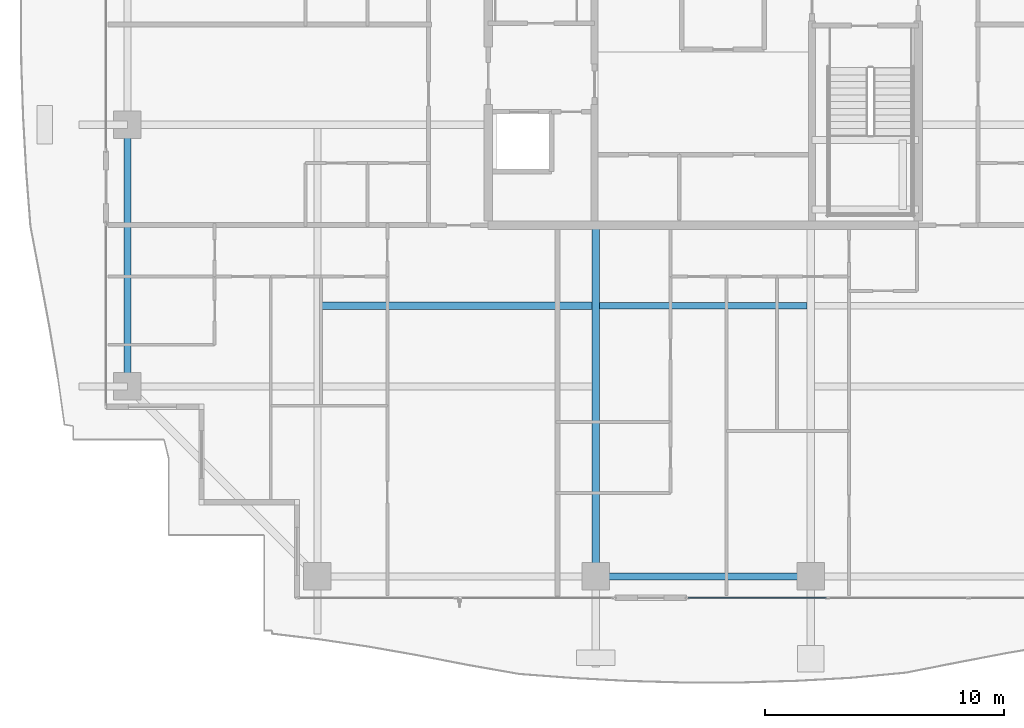
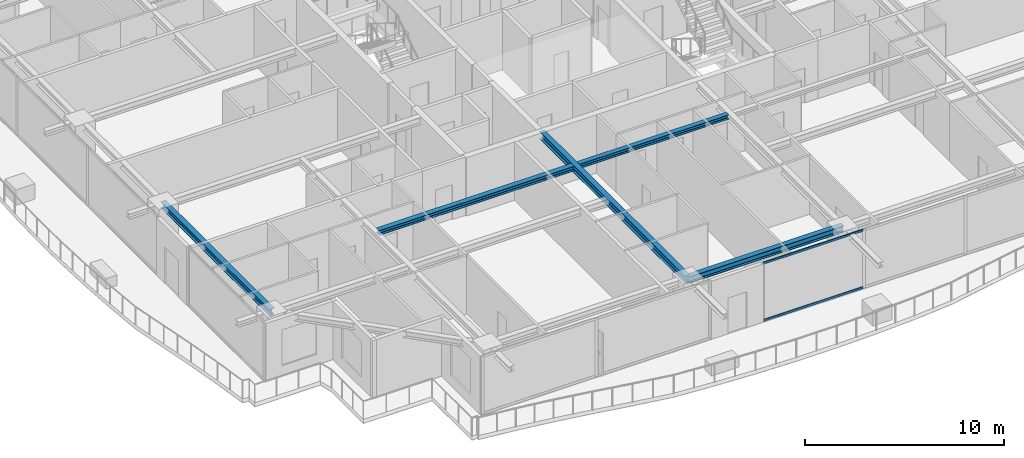
# One storey, part 6 of 38: 5 beams, 2 members, 1 element without a shape of its own.
"""IFC4 building model written with IfcOpenShell, lengths in metres."""

from ifc_helpers import new_model, si_unit, direction, frame, origin, origin_2d, place, context, subcontext, project, spatial, hollow_rectangle, i_section, extrude, source, transform, mapped, material, layer, layer_set, material_profile, profile_set, type_object, element, aggregate, save


model = new_model("IFC4")

# Units and contexts
model_context = context("Model", 3, precision=1e-05, world=origin(), true_north=direction((0.0, 1.0)))
body_context = subcontext(model_context, "Body", "Model", "MODEL_VIEW")
ifc_project = project(units=[si_unit("LENGTHUNIT", "METRE"), si_unit("AREAUNIT", "SQUARE_METRE"), si_unit("VOLUMEUNIT", "CUBIC_METRE"), si_unit("PLANEANGLEUNIT", "RADIAN"), si_unit("MASSUNIT", "GRAM", prefix="KILO")], contexts=[model_context])

# Site, building, storey
site_placement = place(None, origin())
site = spatial("IfcSite", under=ifc_project, at=site_placement, CompositionType="ELEMENT")
building_placement = place(site_placement, origin())
building = spatial("IfcBuilding", under=site, at=building_placement, Name="Serunith Strait Residences", CompositionType="ELEMENT")
storey_placement = place(building_placement, frame((0.0, 0.0, 241.25)))
storey = spatial("IfcBuildingStorey", under=building, at=storey_placement, Name="L60", CompositionType="ELEMENT", Elevation=241.25)

# Beams
ifc_material_1 = material(Name="Steel S355J2", Category="steel")
ifc_material_profile_1 = material_profile(ifc_material_1, i_section(OverallWidth=0.280029296875, OverallDepth=0.280029296875, WebThickness=0.010498046875, FlangeThickness=0.01806640625, FilletRadius=0.02392578125, at=origin_2d()), Name="HEB 280")
ifc_profile_set_1 = profile_set([ifc_material_profile_1], Name="Steel S355J2")
beam_type_1 = type_object("IfcBeamType", Name="BM-HEB280", PredefinedType="JOIST", material=ifc_profile_set_1)
shared_shape_1 = source(origin(), body_context, "Body", "SweptSolid", [
    extrude(i_section(OverallWidth=0.280029296875, OverallDepth=0.280029296875, WebThickness=0.010498046875, FlangeThickness=0.01806640625, FilletRadius=0.02392578125, at=origin_2d()), origin(), (0.0, 0.0, 1.0), 8.699951171875),
])
beam_1_placement = place(storey_placement, frame((28.050048828125, 13.425048828125, 3.447021484375), z_axis=(1.0, 0.0, 0.0), x_axis=(0.0, 1.0, 0.0)))
element("IfcBeam", 1, at=beam_1_placement, inside=storey, type_object=beam_type_1, Name="L60 Composite Floor Joist 02", PredefinedType="JOIST", context=body_context, shape_type="MappedRepresentation", body=[
    mapped(shared_shape_1, transform((0.0, 0.0, 0.0), scale=1.0)),
])
ifc_material_profile_2 = material_profile(ifc_material_1, i_section(OverallWidth=0.300048828125, OverallDepth=0.449951171875, WebThickness=0.013916015625, FlangeThickness=0.02587890625, FilletRadius=0.027099609375, at=origin_2d()), Name="HEB 450")
ifc_profile_set_2 = profile_set([ifc_material_profile_2], Name="Steel S355J2")
beam_type_2 = type_object("IfcBeamType", Name="BM-HEB450", PredefinedType="BEAM", material=ifc_profile_set_2)
shared_shape_2 = source(origin(), body_context, "Body", "SweptSolid", [
    extrude(i_section(OverallWidth=0.300048828125, OverallDepth=0.449951171875, WebThickness=0.013916015625, FlangeThickness=0.02587890625, FilletRadius=0.027099609375, at=origin_2d()), origin(), (0.0, 0.0, 1.0), 14.699951171875),
])
beam_2_placement = place(storey_placement, frame((27.89990234375, 16.800048828125, 3.362060546875), z_axis=(0.0, -1.0, 0.0), x_axis=(1.0, 0.0, 0.0)))
element("IfcBeam", 2, at=beam_2_placement, inside=storey, type_object=beam_type_2, Name="L60 Primary Floor Girder TC-S2", PredefinedType="BEAM", context=body_context, shape_type="MappedRepresentation", body=[
    mapped(shared_shape_2, transform((0.0, 0.0, 0.0), scale=1.0)),
])
ifc_material_profile_3 = material_profile(ifc_material_1, i_section(OverallWidth=0.300048828125, OverallDepth=0.39990234375, WebThickness=0.013427734375, FlangeThickness=0.02392578125, FilletRadius=0.027099609375, at=origin_2d()), Name="HEB 400")
ifc_profile_set_3 = profile_set([ifc_material_profile_3], Name="Steel S355J2")
beam_type_3 = type_object("IfcBeamType", Name="BM-HEB400", PredefinedType="BEAM", material=ifc_profile_set_3)
shared_shape_3 = source(origin(), body_context, "Body", "SweptSolid", [
    extrude(i_section(OverallWidth=0.300048828125, OverallDepth=0.39990234375, WebThickness=0.013427734375, FlangeThickness=0.02392578125, FilletRadius=0.027099609375, at=origin_2d()), origin(), (0.0, 0.0, 1.0), 9.0),
])
beam_3_placement = place(storey_placement, frame((27.89990234375, 2.10009765625, 3.386962890625), z_axis=(1.0, 0.0, 0.0), x_axis=(0.0, 1.0, 0.0)))
element("IfcBeam", 3, at=beam_3_placement, inside=storey, type_object=beam_type_3, Name="L60 Perimeter Ring Beam 02", PredefinedType="BEAM", context=body_context, shape_type="MappedRepresentation", body=[
    mapped(shared_shape_3, transform((0.0, 0.0, 0.0), scale=1.0)),
])
shared_shape_4 = source(origin(), body_context, "Body", "SweptSolid", [
    extrude(i_section(OverallWidth=0.300048828125, OverallDepth=0.39990234375, WebThickness=0.013427734375, FlangeThickness=0.02392578125, FilletRadius=0.027099609375, at=origin_2d()), origin(), (0.0, 0.0, 1.0), 10.949951171875),
])
beam_4_placement = place(storey_placement, frame((8.300048828125, 21.0, 3.386962890625), z_axis=(0.0, -1.0, 0.0), x_axis=(1.0, 0.0, 0.0)))
element("IfcBeam", 4, at=beam_4_placement, inside=storey, type_object=beam_type_3, Name="L60 Perimeter Ring Beam 15", PredefinedType="BEAM", context=body_context, shape_type="MappedRepresentation", body=[
    mapped(shared_shape_4, transform((0.0, 0.0, 0.0), scale=1.0)),
])
ifc_material_profile_4 = material_profile(ifc_material_1, i_section(OverallWidth=0.300048828125, OverallDepth=0.300048828125, WebThickness=0.010986328125, FlangeThickness=0.01904296875, FilletRadius=0.027099609375, at=origin_2d()), Name="HEB 300")
ifc_profile_set_4 = profile_set([ifc_material_profile_4], Name="Steel S355J2")
beam_type_4 = type_object("IfcBeamType", Name="BM-HEB300", PredefinedType="JOIST", material=ifc_profile_set_4)
shared_shape_5 = source(origin(), body_context, "Body", "SweptSolid", [
    extrude(i_section(OverallWidth=0.300048828125, OverallDepth=0.300048828125, WebThickness=0.010986328125, FlangeThickness=0.01904296875, FilletRadius=0.027099609375, at=origin_2d()), origin(), (0.0, 0.0, 1.0), 11.35009765625),
])
beam_5_placement = place(storey_placement, frame((16.39990234375, 13.425048828125, 3.43701171875), z_axis=(1.0, 0.0, 0.0), x_axis=(0.0, 1.0, 0.0)))
element("IfcBeam", 5, at=beam_5_placement, inside=storey, type_object=beam_type_4, Name="L60 Composite Floor Joist 01", PredefinedType="JOIST", context=body_context, shape_type="MappedRepresentation", body=[
    mapped(shared_shape_5, transform((0.0, 0.0, 0.0), scale=1.0)),
])

# Curtain wall, members
ifc_material_2 = material(Name="Pale-Champagne Anodised Aluminium", Category="aluminium")
ifc_layer = layer(ifc_material_2, 0.199951171875, Name="Pale-Champagne Anodised Aluminium")
ifc_layer_set = layer_set([ifc_layer], Name="Pale-Champagne Anodised Aluminium")
curtain_wall_type = type_object("IfcCurtainWallType", Name="CW-SYS4", PredefinedType="NOTDEFINED", material=ifc_layer_set)
curtain_wall_placement = place(storey_placement, origin())
curtain_wall = element("IfcCurtainWall", 6, at=curtain_wall_placement, inside=storey, type_object=curtain_wall_type, Name="L60 S Unitised Fritted Curtain Wall", PredefinedType="NOTDEFINED")
ifc_material_profile_5 = material_profile(ifc_material_2, hollow_rectangle(XDim=0.06005859375, YDim=0.139892578125, WallThickness=0.00341796875, InnerFilletRadius=0.00537109375, OuterFilletRadius=0.0087890625, at=origin_2d()), Name="ALU 140x60x3.5")
ifc_profile_set_5 = profile_set([ifc_material_profile_5], Name="Pale-Champagne Anodised Aluminium")
member_type = type_object("IfcMemberType", Name="CW-SYS4-TRAN", PredefinedType="USERDEFINED", material=ifc_profile_set_5)
shared_shape_6 = source(origin(), body_context, "Body", "SweptSolid", [
    extrude(hollow_rectangle(XDim=0.06005859375, YDim=0.139892578125, WallThickness=0.00341796875, InnerFilletRadius=0.00537109375, OuterFilletRadius=0.0087890625, at=origin_2d()), origin(), (0.0, 0.0, 1.0), 5.802490234375),
])
member_1_placement = place(storey_placement, frame((31.764892578125, 1.199951171875, 0.030029296875), z_axis=(1.0, 0.0, 0.0), x_axis=(0.0, 1.0, 0.0)))
member_1 = element("IfcMember", 7, at=member_1_placement, type_object=member_type, Name="CW-4 transom 1.1", ObjectType="TRANSOM", PredefinedType="USERDEFINED", context=body_context, shape_type="MappedRepresentation", body=[
    mapped(shared_shape_6, transform((0.0, 0.0, 0.0), scale=1.0)),
])
member_2_placement = place(storey_placement, frame((31.764892578125, 1.199951171875, 3.544921875), z_axis=(1.0, 0.0, 0.0), x_axis=(0.0, 1.0, 0.0)))
member_2 = element("IfcMember", 8, at=member_2_placement, type_object=member_type, Name="CW-4 transom 1.2", ObjectType="TRANSOM", PredefinedType="USERDEFINED", context=body_context, shape_type="MappedRepresentation", body=[
    mapped(shared_shape_6, transform((0.0, 0.0, 0.0), scale=1.0)),
])
aggregate(curtain_wall, [member_1, member_2])

save(model, "model.ifc")
